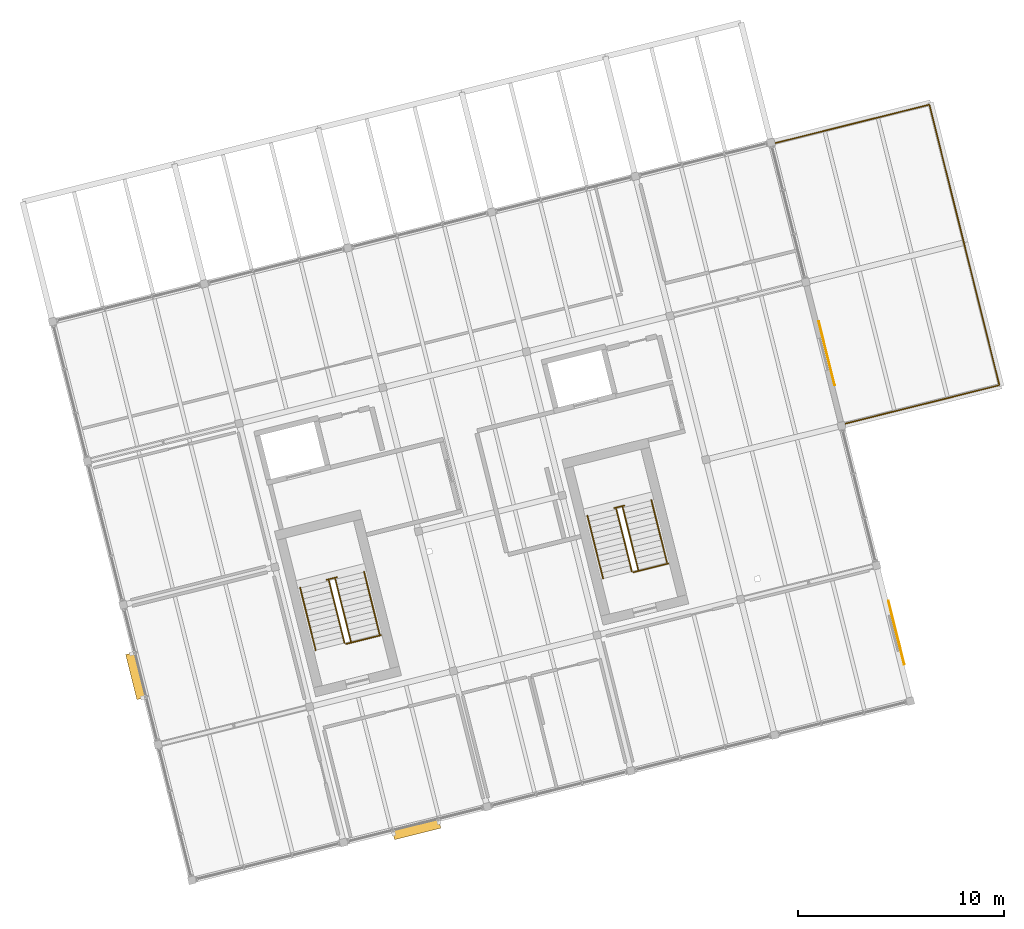
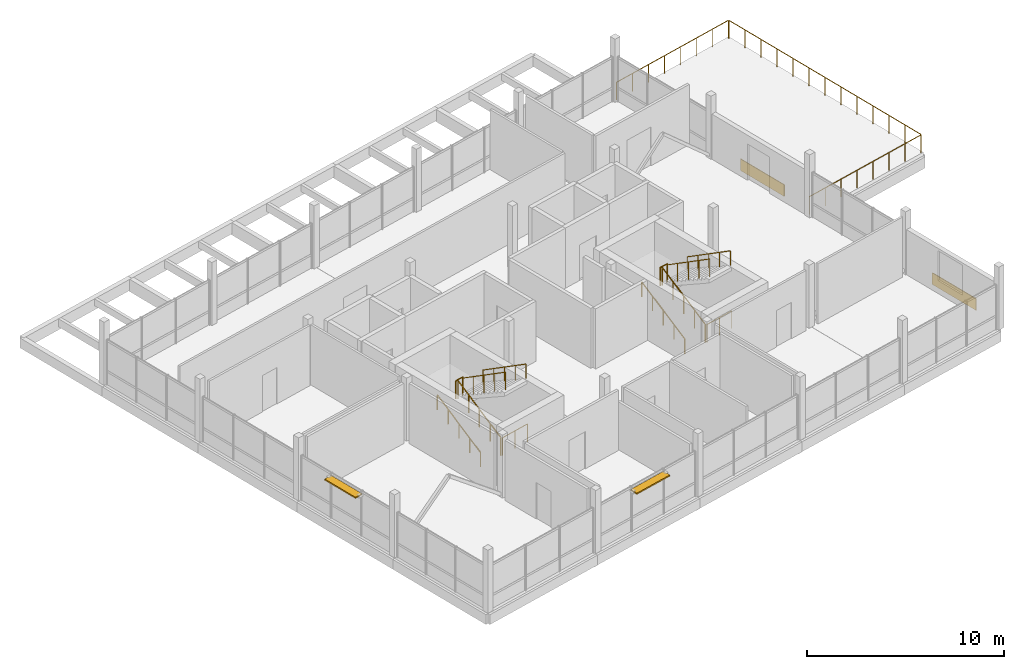
# One storey, part 28 of 28: 15 railings, 2 coverings, 2 shading devices.
"""IFC4 building model written with IfcOpenShell, lengths in metres."""

from ifc_helpers import new_model, si_unit, direction, frame, origin, origin_2d, place, context, subcontext, project, spatial, rectangle, circle, extrude, material, layer, layer_set, type_object, element, save


model = new_model("IFC4")

# Units and contexts
model_context = context("Model", 3, precision=1e-05, world=origin(), true_north=direction((0.0, 1.0)))
body_context = subcontext(model_context, "Body", "Model", "MODEL_VIEW")
ifc_project = project(units=[si_unit("LENGTHUNIT", "METRE"), si_unit("AREAUNIT", "SQUARE_METRE"), si_unit("VOLUMEUNIT", "CUBIC_METRE"), si_unit("PLANEANGLEUNIT", "RADIAN"), si_unit("MASSUNIT", "GRAM", prefix="KILO")], contexts=[model_context])

# Site, building, storey
site_placement = place(None, origin())
site = spatial("IfcSite", under=ifc_project, at=site_placement, CompositionType="ELEMENT")
building_placement = place(site_placement, origin())
building = spatial("IfcBuilding", under=site, at=building_placement, Name="Meriwether Solvik Hall", CompositionType="ELEMENT")
storey_placement = place(building_placement, frame((0.0, 0.0, 45.60009765625)))
storey = spatial("IfcBuildingStorey", under=building, at=storey_placement, Name="L11", CompositionType="ELEMENT", Elevation=45.60009765625)

# Coverings
ifc_material_1 = material(Name="Acetylated Charred Western Red Cedar Timber", Category="wood")
ifc_layer_1 = layer(ifc_material_1, 0.0400390625)
ifc_layer_set_1 = layer_set([ifc_layer_1], Name="Acetylated Charred Western Red Cedar Timber")
covering_type = type_object("IfcCoveringType", Name="COV-CLAD-TIMB", PredefinedType="CLADDING", material=ifc_layer_set_1)
for number, where, z_axis, x_axis, name in (
    (1, (102.853759765625, 53.244384765625, 0.080078125), (0.0, 0.0, 1.0), (0.241921851942, -0.970295737161, 0.0), "L11 Charred Cedar Cladding 2.0"),
    (2, (99.466796875, 66.82861328125, 0.080078125), (0.0, 0.0, 1.0), (0.241921897937, -0.970295725693, 0.0), "L11 Charred Cedar Cladding 2.2"),
):
    element("IfcCovering", number, at=place(storey_placement, frame(where, z_axis=z_axis, x_axis=x_axis)), inside=storey, type_object=covering_type, Name=name, PredefinedType="CLADDING", context=body_context, shape_type="SweptSolid", body=[
        extrude(rectangle(XDim=3.199951171875, YDim=0.0400390625, at=origin_2d()), origin(), (0.0, 0.0, 1.0), 0.719970703125),
    ])

# Railings
ifc_material_2 = material(Name="Steel A36 Galvanised", Category="steel")
ifc_layer_2 = layer(ifc_material_2, 0.054931640625)
ifc_layer_set_2 = layer_set([ifc_layer_2], Name="Steel A36 Galvanised")
railing_type_1 = type_object("IfcRailingType", Name="RAIL-STR-GUARD", PredefinedType="GUARDRAIL", material=ifc_layer_set_2)
railing_1_placement = place(storey_placement, frame((75.158935546875, 55.81591796875, 1.949951171875)))
element("IfcRailing", 3, at=railing_1_placement, inside=storey, type_object=railing_type_1, Name="Stair ST-01 Landing Guardrail (L11)", PredefinedType="GUARDRAIL", context=body_context, shape_type="SweptSolid", body=[
    extrude(circle(Radius=0.02392578125, at=origin_2d()), frame((0.0, 0.0, 1.09619140625), z_axis=(0.970343250308, 0.241731207299, 0.0), x_axis=(-0.241731207299, 0.970343250308, 0.0)), (0.0, 0.0, 1.0), 0.5),
    extrude(circle(Radius=0.02099609375, at=origin_2d()), origin(), (0.0, 0.0, 1.0), 1.072021484375),
    extrude(circle(Radius=0.02099609375, at=origin_2d()), frame((0.485107421875, 0.120849609375, 0.0)), (0.0, 0.0, 1.0), 1.072021484375),
])
railing_2_placement = place(storey_placement, frame((76.092041015625, 52.69384765625, 0.0)))
element("IfcRailing", 4, at=railing_2_placement, inside=storey, type_object=railing_type_1, Name="Stair ST-01 Well Guardrail (L11)", PredefinedType="GUARDRAIL", context=body_context, shape_type="SweptSolid", body=[
    extrude(circle(Radius=0.02392578125, at=origin_2d()), frame((0.0, 0.0, 1.09619140625), z_axis=(0.970298223594, 0.241911879182, 0.0), x_axis=(-0.241911879182, 0.970298223594, 0.0)), (0.0, 0.0, 1.0), 1.75),
    extrude(circle(Radius=0.02099609375, at=origin_2d()), origin(), (0.0, 0.0, 1.0), 1.072021484375),
    extrude(circle(Radius=0.02099609375, at=origin_2d()), frame((0.84912109375, 0.211669921875, 0.0)), (0.0, 0.0, 1.0), 1.072021484375),
    extrude(circle(Radius=0.02099609375, at=origin_2d()), frame((1.697998046875, 0.42333984375, 0.0)), (0.0, 0.0, 1.0), 1.072021484375),
])
railing_3_placement = place(storey_placement, frame((76.019287109375, 52.737548828125, 0.0)))
element("IfcRailing", 5, at=railing_3_placement, inside=storey, type_object=railing_type_1, Name="Stair ST-01 Flight 1 Inner Guardrail (L11)", PredefinedType="GUARDRAIL", context=body_context, shape_type="SweptSolid", body=[
    extrude(circle(Radius=0.02392578125, at=origin_2d()), frame((0.0, 0.0, 1.09619140625), z_axis=(-0.205452207734, 0.823924849814, 0.528145086313), x_axis=(-0.970288906122, -0.2419492481, 0.0)), (0.0, 0.0, 1.0), 3.692138671875),
    extrude(circle(Radius=0.02099609375, at=origin_2d()), origin(), (0.0, 0.0, 1.0), 1.072021484375),
    extrude(circle(Radius=0.02099609375, at=origin_2d()), frame((-0.189697265625, 0.760498046875, 0.487548828125)), (0.0, 0.0, 1.0), 1.072021484375),
    extrude(circle(Radius=0.02099609375, at=origin_2d()), frame((-0.37939453125, 1.52099609375, 0.97509765625)), (0.0, 0.0, 1.0), 1.072021484375),
    extrude(circle(Radius=0.02099609375, at=origin_2d()), frame((-0.56884765625, 2.281494140625, 1.46240234375)), (0.0, 0.0, 1.0), 1.072021484375),
    extrude(circle(Radius=0.02099609375, at=origin_2d()), frame((-0.758544921875, 3.0419921875, 1.949951171875)), (0.0, 0.0, 1.0), 1.072021484375),
])
railing_4_placement = place(storey_placement, frame((75.5712890625, 55.85693359375, 1.949951171875)))
element("IfcRailing", 6, at=railing_4_placement, inside=storey, type_object=railing_type_1, Name="Stair ST-01 Flight 2 Inner Guardrail (L11)", PredefinedType="GUARDRAIL", context=body_context, shape_type="SweptSolid", body=[
    extrude(circle(Radius=0.02392578125, at=origin_2d()), frame((0.0, 0.0, 1.09619140625), z_axis=(0.205388872055, -0.823936041794, 0.528152260498), x_axis=(0.970307185051, 0.241875932325, 0.0)), (0.0, 0.0, 1.0), 3.692138671875),
    extrude(circle(Radius=0.02099609375, at=origin_2d()), origin(), (0.0, 0.0, 1.0), 1.072021484375),
    extrude(circle(Radius=0.02099609375, at=origin_2d()), frame((0.189453125, -0.760498046875, 0.487548828125)), (0.0, 0.0, 1.0), 1.072021484375),
    extrude(circle(Radius=0.02099609375, at=origin_2d()), frame((0.379150390625, -1.52099609375, 0.97509765625)), (0.0, 0.0, 1.0), 1.072021484375),
    extrude(circle(Radius=0.02099609375, at=origin_2d()), frame((0.56884765625, -2.281494140625, 1.46240234375)), (0.0, 0.0, 1.0), 1.072021484375),
    extrude(circle(Radius=0.02099609375, at=origin_2d()), frame((0.75830078125, -3.0419921875, 1.949951171875)), (0.0, 0.0, 1.0), 1.072021484375),
])
railing_5_placement = place(storey_placement, frame((89.131103515625, 59.299560546875, 1.949951171875)))
element("IfcRailing", 7, at=railing_5_placement, inside=storey, type_object=railing_type_1, Name="Stair ST-02 Landing Guardrail (L11)", PredefinedType="GUARDRAIL", context=body_context, shape_type="SweptSolid", body=[
    extrude(circle(Radius=0.02392578125, at=origin_2d()), frame((0.0, 0.0, 1.09619140625), z_axis=(0.970228607419, 0.242190935722, 0.0), x_axis=(-0.242190935722, 0.970228607419, 0.0)), (0.0, 0.0, 1.0), 0.5),
    extrude(circle(Radius=0.02099609375, at=origin_2d()), origin(), (0.0, 0.0, 1.0), 1.072021484375),
    extrude(circle(Radius=0.02099609375, at=origin_2d()), frame((0.485107421875, 0.12109375, 0.0)), (0.0, 0.0, 1.0), 1.072021484375),
])
railing_6_placement = place(storey_placement, frame((90.064208984375, 56.177490234375, 0.0)))
element("IfcRailing", 8, at=railing_6_placement, inside=storey, type_object=railing_type_1, Name="Stair ST-02 Well Guardrail (L11)", PredefinedType="GUARDRAIL", context=body_context, shape_type="SweptSolid", body=[
    extrude(circle(Radius=0.02392578125, at=origin_2d()), frame((0.0, 0.0, 1.09619140625), z_axis=(0.970298223594, 0.241911879182, 0.0), x_axis=(-0.241911879182, 0.970298223594, 0.0)), (0.0, 0.0, 1.0), 1.75),
    extrude(circle(Radius=0.02099609375, at=origin_2d()), origin(), (0.0, 0.0, 1.0), 1.072021484375),
    extrude(circle(Radius=0.02099609375, at=origin_2d()), frame((0.84912109375, 0.211669921875, 0.0)), (0.0, 0.0, 1.0), 1.072021484375),
    extrude(circle(Radius=0.02099609375, at=origin_2d()), frame((1.697998046875, 0.42333984375, 0.0)), (0.0, 0.0, 1.0), 1.072021484375),
])
railing_7_placement = place(storey_placement, frame((89.991455078125, 56.22119140625, 0.0)))
element("IfcRailing", 9, at=railing_7_placement, inside=storey, type_object=railing_type_1, Name="Stair ST-02 Flight 1 Inner Guardrail (L11)", PredefinedType="GUARDRAIL", context=body_context, shape_type="SweptSolid", body=[
    extrude(circle(Radius=0.02392578125, at=origin_2d()), frame((0.0, 0.0, 1.09619140625), z_axis=(-0.205452207734, 0.823924849814, 0.528145086313), x_axis=(-0.970288906122, -0.2419492481, 0.0)), (0.0, 0.0, 1.0), 3.692138671875),
    extrude(circle(Radius=0.02099609375, at=origin_2d()), origin(), (0.0, 0.0, 1.0), 1.072021484375),
    extrude(circle(Radius=0.02099609375, at=origin_2d()), frame((-0.189697265625, 0.760498046875, 0.487548828125)), (0.0, 0.0, 1.0), 1.072021484375),
    extrude(circle(Radius=0.02099609375, at=origin_2d()), frame((-0.37939453125, 1.52099609375, 0.97509765625)), (0.0, 0.0, 1.0), 1.072021484375),
    extrude(circle(Radius=0.02099609375, at=origin_2d()), frame((-0.56884765625, 2.281494140625, 1.46240234375)), (0.0, 0.0, 1.0), 1.072021484375),
    extrude(circle(Radius=0.02099609375, at=origin_2d()), frame((-0.758544921875, 3.0419921875, 1.949951171875)), (0.0, 0.0, 1.0), 1.072021484375),
])
railing_8_placement = place(storey_placement, frame((89.54345703125, 59.340576171875, 1.949951171875)))
element("IfcRailing", 10, at=railing_8_placement, inside=storey, type_object=railing_type_1, Name="Stair ST-02 Flight 2 Inner Guardrail (L11)", PredefinedType="GUARDRAIL", context=body_context, shape_type="SweptSolid", body=[
    extrude(circle(Radius=0.02392578125, at=origin_2d()), frame((0.0, 0.0, 1.09619140625), z_axis=(0.205452207734, -0.823924849814, 0.528145086313), x_axis=(0.970288906122, 0.2419492481, 0.0)), (0.0, 0.0, 1.0), 3.692138671875),
    extrude(circle(Radius=0.02099609375, at=origin_2d()), origin(), (0.0, 0.0, 1.0), 1.072021484375),
    extrude(circle(Radius=0.02099609375, at=origin_2d()), frame((0.189697265625, -0.760498046875, 0.487548828125)), (0.0, 0.0, 1.0), 1.072021484375),
    extrude(circle(Radius=0.02099609375, at=origin_2d()), frame((0.37939453125, -1.52099609375, 0.97509765625)), (0.0, 0.0, 1.0), 1.072021484375),
    extrude(circle(Radius=0.02099609375, at=origin_2d()), frame((0.56884765625, -2.281494140625, 1.46240234375)), (0.0, 0.0, 1.0), 1.072021484375),
    extrude(circle(Radius=0.02099609375, at=origin_2d()), frame((0.758544921875, -3.0419921875, 1.949951171875)), (0.0, 0.0, 1.0), 1.072021484375),
])
ifc_material_3 = material(Name="Stainless Steel AISI 316", Category="steel")
ifc_layer_3 = layer(ifc_material_3, 0.044921875)
ifc_layer_set_3 = layer_set([ifc_layer_3], Name="Stainless Steel AISI 316")
railing_type_2 = type_object("IfcRailingType", Name="RAIL-STR-HAND", PredefinedType="HANDRAIL", material=ifc_layer_set_3)
railing_9_placement = place(storey_placement, frame((74.6220703125, 52.38916015625, 0.0)))
element("IfcRailing", 11, at=railing_9_placement, inside=storey, type_object=railing_type_2, Name="Stair ST-01 Lower Handrail (L11)", PredefinedType="HANDRAIL", context=body_context, shape_type="SweptSolid", body=[
    extrude(circle(Radius=0.02392578125, at=origin_2d()), frame((0.0, 0.0, 0.89599609375), z_axis=(-0.205467106702, 0.823914517495, 0.528155408876), x_axis=(-0.970284074567, -0.241968623258, 0.0)), (0.0, 0.0, 1.0), 3.698974609375),
    extrude(circle(Radius=0.02099609375, at=origin_2d()), origin(), (0.0, 0.0, 1.0), 0.871826171875),
    extrude(circle(Radius=0.02099609375, at=origin_2d()), frame((-0.18994140625, 0.761962890625, 0.48828125)), (0.0, 0.0, 1.0), 0.871826171875),
    extrude(circle(Radius=0.02099609375, at=origin_2d()), frame((-0.3798828125, 1.52392578125, 0.976806640625)), (0.0, 0.0, 1.0), 0.871826171875),
    extrude(circle(Radius=0.02099609375, at=origin_2d()), frame((-0.570068359375, 2.28564453125, 1.46533203125)), (0.0, 0.0, 1.0), 0.871826171875),
    extrude(circle(Radius=0.02099609375, at=origin_2d()), frame((-0.760009765625, 3.047607421875, 1.95361328125)), (0.0, 0.0, 1.0), 0.871826171875),
])
railing_10_placement = place(storey_placement, frame((76.968505859375, 56.205322265625, 1.949951171875)))
element("IfcRailing", 12, at=railing_10_placement, inside=storey, type_object=railing_type_2, Name="Stair ST-01 Upper Handrail (L11)", PredefinedType="HANDRAIL", context=body_context, shape_type="SweptSolid", body=[
    extrude(circle(Radius=0.02392578125, at=origin_2d()), frame((0.0, 0.0, 0.89599609375), z_axis=(0.205403888919, -0.823925689387, 0.528162570414), x_axis=(0.970302321101, 0.241895443665, 0.0)), (0.0, 0.0, 1.0), 3.698974609375),
    extrude(circle(Radius=0.02099609375, at=origin_2d()), origin(), (0.0, 0.0, 1.0), 0.871826171875),
    extrude(circle(Radius=0.02099609375, at=origin_2d()), frame((0.18994140625, -0.761962890625, 0.48828125)), (0.0, 0.0, 1.0), 0.871826171875),
    extrude(circle(Radius=0.02099609375, at=origin_2d()), frame((0.3798828125, -1.52392578125, 0.976806640625)), (0.0, 0.0, 1.0), 0.871826171875),
    extrude(circle(Radius=0.02099609375, at=origin_2d()), frame((0.56982421875, -2.28564453125, 1.46533203125)), (0.0, 0.0, 1.0), 0.871826171875),
    extrude(circle(Radius=0.02099609375, at=origin_2d()), frame((0.759765625, -3.047607421875, 1.95361328125)), (0.0, 0.0, 1.0), 0.871826171875),
])
railing_11_placement = place(storey_placement, frame((88.59423828125, 55.872802734375, 0.0)))
element("IfcRailing", 13, at=railing_11_placement, inside=storey, type_object=railing_type_2, Name="Stair ST-02 Lower Handrail (L11)", PredefinedType="HANDRAIL", context=body_context, shape_type="SweptSolid", body=[
    extrude(circle(Radius=0.02392578125, at=origin_2d()), frame((0.0, 0.0, 0.89599609375), z_axis=(-0.205403888919, 0.823925689387, 0.528162570414), x_axis=(-0.970302321101, -0.241895443665, 0.0)), (0.0, 0.0, 1.0), 3.698974609375),
    extrude(circle(Radius=0.02099609375, at=origin_2d()), origin(), (0.0, 0.0, 1.0), 0.871826171875),
    extrude(circle(Radius=0.02099609375, at=origin_2d()), frame((-0.18994140625, 0.761962890625, 0.48828125)), (0.0, 0.0, 1.0), 0.871826171875),
    extrude(circle(Radius=0.02099609375, at=origin_2d()), frame((-0.3798828125, 1.52392578125, 0.976806640625)), (0.0, 0.0, 1.0), 0.871826171875),
    extrude(circle(Radius=0.02099609375, at=origin_2d()), frame((-0.56982421875, 2.28564453125, 1.46533203125)), (0.0, 0.0, 1.0), 0.871826171875),
    extrude(circle(Radius=0.02099609375, at=origin_2d()), frame((-0.759765625, 3.047607421875, 1.95361328125)), (0.0, 0.0, 1.0), 0.871826171875),
])
railing_12_placement = place(storey_placement, frame((90.940673828125, 59.68896484375, 1.949951171875)))
element("IfcRailing", 14, at=railing_12_placement, inside=storey, type_object=railing_type_2, Name="Stair ST-02 Upper Handrail (L11)", PredefinedType="HANDRAIL", context=body_context, shape_type="SweptSolid", body=[
    extrude(circle(Radius=0.02392578125, at=origin_2d()), frame((0.0, 0.0, 0.89599609375), z_axis=(0.205467106702, -0.823914517495, 0.528155408876), x_axis=(0.970284074567, 0.241968623258, 0.0)), (0.0, 0.0, 1.0), 3.698974609375),
    extrude(circle(Radius=0.02099609375, at=origin_2d()), origin(), (0.0, 0.0, 1.0), 0.871826171875),
    extrude(circle(Radius=0.02099609375, at=origin_2d()), frame((0.18994140625, -0.761962890625, 0.48828125)), (0.0, 0.0, 1.0), 0.871826171875),
    extrude(circle(Radius=0.02099609375, at=origin_2d()), frame((0.3798828125, -1.52392578125, 0.976806640625)), (0.0, 0.0, 1.0), 0.871826171875),
    extrude(circle(Radius=0.02099609375, at=origin_2d()), frame((0.570068359375, -2.28564453125, 1.46533203125)), (0.0, 0.0, 1.0), 0.871826171875),
    extrude(circle(Radius=0.02099609375, at=origin_2d()), frame((0.760009765625, -3.047607421875, 1.95361328125)), (0.0, 0.0, 1.0), 0.871826171875),
])
ifc_material_4 = material(Name="Laminated Tempered Glass and Stainless Steel AISI 316", Category="steel")
ifc_layer_4 = layer(ifc_material_4, 0.06005859375)
ifc_layer_set_4 = layer_set([ifc_layer_4], Name="Laminated Tempered Glass and Stainless Steel AISI 316")
railing_type_3 = type_object("IfcRailingType", Name="RAIL-TERR-1120", PredefinedType="GUARDRAIL", material=ifc_layer_set_4)
railing_13_placement = place(storey_placement, frame((100.197021484375, 63.3623046875, 0.0)))
element("IfcRailing", 15, at=railing_13_placement, inside=storey, type_object=railing_type_3, Name="L11 Upper Setback Terrace Guardrail 1", PredefinedType="GUARDRAIL", context=body_context, shape_type="SweptSolid", body=[
    extrude(circle(Radius=0.02392578125, at=origin_2d()), frame((0.0, 0.0, 1.09619140625), z_axis=(0.970291987049, 0.241936892326, 0.0), x_axis=(-0.241936892326, 0.970291987049, 0.0)), (0.0, 0.0, 1.0), 7.867919921875),
    extrude(circle(Radius=0.02099609375, at=origin_2d()), origin(), (0.0, 0.0, 1.0), 1.072021484375),
    extrude(circle(Radius=0.02099609375, at=origin_2d()), frame((1.090576171875, 0.27197265625, 0.0)), (0.0, 0.0, 1.0), 1.072021484375),
    extrude(circle(Radius=0.02099609375, at=origin_2d()), frame((2.18115234375, 0.5439453125, 0.0)), (0.0, 0.0, 1.0), 1.072021484375),
    extrude(circle(Radius=0.02099609375, at=origin_2d()), frame((3.271728515625, 0.81591796875, 0.0)), (0.0, 0.0, 1.0), 1.072021484375),
    extrude(circle(Radius=0.02099609375, at=origin_2d()), frame((4.362548828125, 1.087646484375, 0.0)), (0.0, 0.0, 1.0), 1.072021484375),
    extrude(circle(Radius=0.02099609375, at=origin_2d()), frame((5.453125, 1.359619140625, 0.0)), (0.0, 0.0, 1.0), 1.072021484375),
    extrude(circle(Radius=0.02099609375, at=origin_2d()), frame((6.543701171875, 1.631591796875, 0.0)), (0.0, 0.0, 1.0), 1.072021484375),
    extrude(circle(Radius=0.02099609375, at=origin_2d()), frame((7.63427734375, 1.903564453125, 0.0)), (0.0, 0.0, 1.0), 1.072021484375),
])
railing_14_placement = place(storey_placement, frame((107.8544921875, 65.304443359375, 0.0)))
element("IfcRailing", 16, at=railing_14_placement, inside=storey, type_object=railing_type_3, Name="L11 Upper Setback Terrace Guardrail 2", PredefinedType="GUARDRAIL", context=body_context, shape_type="SweptSolid", body=[
    extrude(circle(Radius=0.02392578125, at=origin_2d()), frame((0.0, 0.0, 1.09619140625), z_axis=(-0.241907605248, 0.970299289149, 0.0), x_axis=(-0.970299289149, -0.241907605248, 0.0)), (0.0, 0.0, 1.0), 13.99609375),
    extrude(circle(Radius=0.02099609375, at=origin_2d()), origin(), (0.0, 0.0, 1.0), 1.072021484375),
    extrude(circle(Radius=0.02099609375, at=origin_2d()), frame((-0.2822265625, 1.131591796875, 0.0)), (0.0, 0.0, 1.0), 1.072021484375),
    extrude(circle(Radius=0.02099609375, at=origin_2d()), frame((-0.564208984375, 2.263427734375, 0.0)), (0.0, 0.0, 1.0), 1.072021484375),
    extrude(circle(Radius=0.02099609375, at=origin_2d()), frame((-0.846435546875, 3.39501953125, 0.0)), (0.0, 0.0, 1.0), 1.072021484375),
    extrude(circle(Radius=0.02099609375, at=origin_2d()), frame((-1.128662109375, 4.52685546875, 0.0)), (0.0, 0.0, 1.0), 1.072021484375),
    extrude(circle(Radius=0.02099609375, at=origin_2d()), frame((-1.41064453125, 5.658447265625, 0.0)), (0.0, 0.0, 1.0), 1.072021484375),
    extrude(circle(Radius=0.02099609375, at=origin_2d()), frame((-1.69287109375, 6.7900390625, 0.0)), (0.0, 0.0, 1.0), 1.072021484375),
    extrude(circle(Radius=0.02099609375, at=origin_2d()), frame((-1.97509765625, 7.921875, 0.0)), (0.0, 0.0, 1.0), 1.072021484375),
    extrude(circle(Radius=0.02099609375, at=origin_2d()), frame((-2.257080078125, 9.053466796875, 0.0)), (0.0, 0.0, 1.0), 1.072021484375),
    extrude(circle(Radius=0.02099609375, at=origin_2d()), frame((-2.539306640625, 10.185302734375, 0.0)), (0.0, 0.0, 1.0), 1.072021484375),
    extrude(circle(Radius=0.02099609375, at=origin_2d()), frame((-2.821533203125, 11.31689453125, 0.0)), (0.0, 0.0, 1.0), 1.072021484375),
    extrude(circle(Radius=0.02099609375, at=origin_2d()), frame((-3.103515625, 12.44873046875, 0.0)), (0.0, 0.0, 1.0), 1.072021484375),
    extrude(circle(Radius=0.02099609375, at=origin_2d()), frame((-3.3857421875, 13.580322265625, 0.0)), (0.0, 0.0, 1.0), 1.072021484375),
])
railing_15_placement = place(storey_placement, frame((104.429931640625, 78.908203125, 0.0)))
element("IfcRailing", 17, at=railing_15_placement, inside=storey, type_object=railing_type_3, Name="L11 Upper Setback Terrace Guardrail 3", PredefinedType="GUARDRAIL", context=body_context, shape_type="SweptSolid", body=[
    extrude(circle(Radius=0.02392578125, at=origin_2d()), frame((0.0, 0.0, 1.09619140625), z_axis=(-0.970291987049, -0.241936892326, 0.0), x_axis=(0.241936892326, -0.970291987049, 0.0)), (0.0, 0.0, 1.0), 7.867919921875),
    extrude(circle(Radius=0.02099609375, at=origin_2d()), origin(), (0.0, 0.0, 1.0), 1.072021484375),
    extrude(circle(Radius=0.02099609375, at=origin_2d()), frame((-1.090576171875, -0.27197265625, 0.0)), (0.0, 0.0, 1.0), 1.072021484375),
    extrude(circle(Radius=0.02099609375, at=origin_2d()), frame((-2.18115234375, -0.5439453125, 0.0)), (0.0, 0.0, 1.0), 1.072021484375),
    extrude(circle(Radius=0.02099609375, at=origin_2d()), frame((-3.271728515625, -0.81591796875, 0.0)), (0.0, 0.0, 1.0), 1.072021484375),
    extrude(circle(Radius=0.02099609375, at=origin_2d()), frame((-4.362548828125, -1.087646484375, 0.0)), (0.0, 0.0, 1.0), 1.072021484375),
    extrude(circle(Radius=0.02099609375, at=origin_2d()), frame((-5.453125, -1.359619140625, 0.0)), (0.0, 0.0, 1.0), 1.072021484375),
    extrude(circle(Radius=0.02099609375, at=origin_2d()), frame((-6.543701171875, -1.631591796875, 0.0)), (0.0, 0.0, 1.0), 1.072021484375),
    extrude(circle(Radius=0.02099609375, at=origin_2d()), frame((-7.63427734375, -1.903564453125, 0.0)), (0.0, 0.0, 1.0), 1.072021484375),
])

# Shading devices
ifc_material_5 = material(Name="Anodised Aluminium 6063-T6", Category="aluminium")
shading_device_type_1 = type_object("IfcShadingDeviceType", Name="SHD-LOUVRE-S", PredefinedType="SHUTTER", material=ifc_material_5)
shading_device_1_placement = place(storey_placement, frame((79.525390625, 43.6767578125, 2.52978515625), z_axis=(0.0, 0.0, 1.0), x_axis=(-0.970295725693, -0.241921897937, 0.0)))
element("IfcShadingDevice", 18, at=shading_device_1_placement, inside=storey, type_object=shading_device_type_1, Name="Solar Shading Louvre E0_B1", PredefinedType="SHUTTER", context=body_context, shape_type="SweptSolid", body=[
    extrude(rectangle(XDim=2.322265625, YDim=0.4599609375, at=origin_2d()), origin(), (0.0, 0.0, 1.0), 0.080078125),
])
ifc_material_6 = material(Name="Anodised Aluminium 6063-T6", Category="aluminium")
shading_device_type_2 = type_object("IfcShadingDeviceType", Name="SHD-LOUVRE-W", PredefinedType="USERDEFINED", material=ifc_material_6)
shading_device_2_placement = place(storey_placement, frame((65.875244140625, 51.135986328125, 2.52978515625), z_axis=(0.0, 0.0, 1.0), x_axis=(-0.24192176891, 0.970295757863, 0.0)))
element("IfcShadingDevice", 19, at=shading_device_2_placement, inside=storey, type_object=shading_device_type_2, Name="Solar Shading Louvre E3_B1", ObjectType="LOUVER", PredefinedType="USERDEFINED", context=body_context, shape_type="SweptSolid", body=[
    extrude(rectangle(XDim=2.255615234375, YDim=0.4599609375, at=origin_2d()), origin(), (0.0, 0.0, 1.0), 0.080078125),
])

save(model, "model.ifc")
